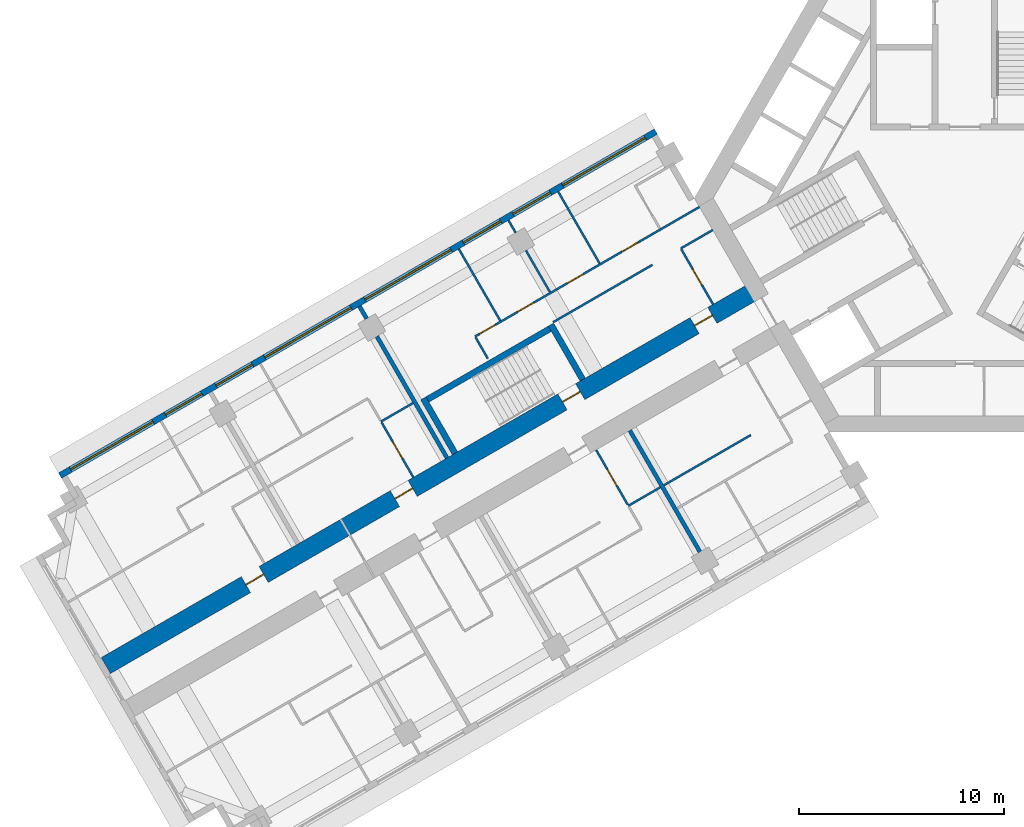
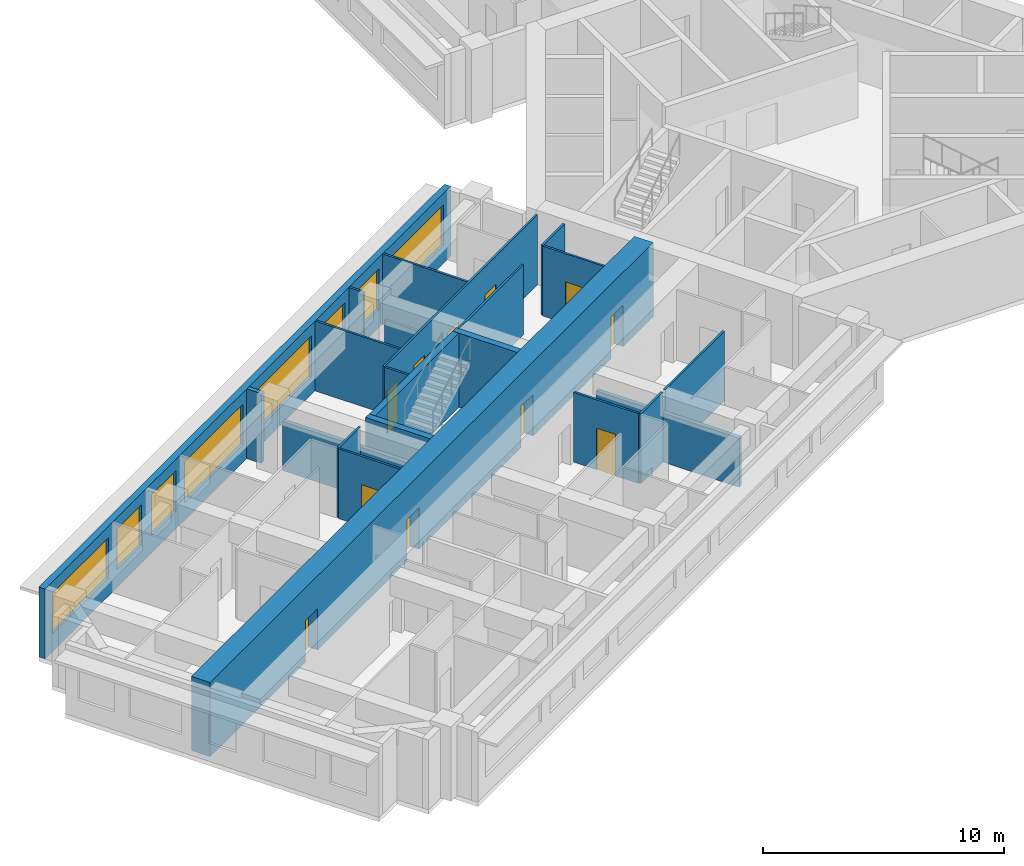
# One storey, part 5 of 14: 22 walls, 11 doors, 8 windows, 19 openings.
"""IFC4 building model written with IfcOpenShell, lengths in metres."""

from ifc_helpers import new_model, si_unit, direction, frame, frame_2d, origin, place, context, subcontext, project, spatial, rectangle, extrude, material, layer, layer_set, type_object, element, fill, save


model = new_model("IFC4")

# Units and contexts
model_context = context("Model", 3, precision=1e-05, world=origin(), true_north=direction((0.0, 1.0)))
body_context = subcontext(model_context, "Body", "Model", "MODEL_VIEW")
ifc_project = project(units=[si_unit("LENGTHUNIT", "METRE"), si_unit("AREAUNIT", "SQUARE_METRE"), si_unit("VOLUMEUNIT", "CUBIC_METRE"), si_unit("PLANEANGLEUNIT", "RADIAN"), si_unit("MASSUNIT", "GRAM", prefix="KILO")], contexts=[model_context])

# Site, building, storey
site_placement = place(None, origin())
site = spatial("IfcSite", under=ifc_project, at=site_placement, CompositionType="ELEMENT")
building_placement = place(site_placement, origin())
building = spatial("IfcBuilding", under=site, at=building_placement, Name="Impinga Residences", CompositionType="ELEMENT")
storey_placement = place(building_placement, frame((0.0, 0.0, 121.0)))
storey = spatial("IfcBuildingStorey", under=building, at=storey_placement, Name="L29", CompositionType="ELEMENT", Elevation=121.0)

# Wall, openings, doors
ifc_material_1 = material(Name="Concrete C60/75", Category="concrete")
ifc_layer_1 = layer(ifc_material_1, 0.89990234375)
ifc_layer_set_1 = layer_set([ifc_layer_1], Name="Concrete C60/75")
wall_type_1 = type_object("IfcWallType", Name="BW2 corridor buttress wall, L24 to L44 900", PredefinedType="SHEAR", material=ifc_layer_set_1)
wall_1_placement = place(storey_placement, frame((-10.153564453125, -4.4765625, 0.0), z_axis=(0.0, 0.0, 1.0), x_axis=(-0.866027614434, -0.499996171023, 0.0)))
wall_1 = element("IfcWall", 1, at=wall_1_placement, inside=storey, type_object=wall_type_1, Name="Corridor wall BW2 WD L29", PredefinedType="SHEAR", context=body_context, shape_type="SweptSolid", body=[
    extrude(rectangle(XDim=36.699951171875, YDim=0.89990234375, at=frame_2d((18.35009765625, 0.0))), origin(), (0.0, 0.0, 1.0), 3.75),
])
opening_1_placement = place(wall_1_placement, frame((9.949951171875, 0.0, 0.0)))
opening_1 = element("IfcOpeningElement", 2, at=opening_1_placement, cuts=wall_1, Name="Opening D5", PredefinedType="OPENING", context=body_context, shape_type="SweptSolid", body=[
    extrude(rectangle(XDim=1.0, YDim=2.10009765625, at=frame_2d((0.5, 1.050048828125))), frame((0.0, 0.4599609375, 0.0), z_axis=(0.0, -1.0, 0.0), x_axis=(1.0, 0.0, 0.0)), (0.0, 0.0, 1.0), 0.919921875),
])
opening_2_placement = place(wall_1_placement, frame((2.5, 0.0, 0.0)))
opening_2 = element("IfcOpeningElement", 3, at=opening_2_placement, cuts=wall_1, Name="Opening D1", PredefinedType="OPENING", context=body_context, shape_type="SweptSolid", body=[
    extrude(rectangle(XDim=1.0, YDim=2.10009765625, at=frame_2d((0.5, 1.050048828125))), frame((0.0, 0.4599609375, 0.0), z_axis=(0.0, -1.0, 0.0), x_axis=(1.0, 0.0, 0.0)), (0.0, 0.0, 1.0), 0.919921875),
])
opening_3_placement = place(wall_1_placement, frame((19.39990234375, 0.0, 0.0)))
opening_3 = element("IfcOpeningElement", 4, at=opening_3_placement, cuts=wall_1, Name="Opening D1", PredefinedType="OPENING", context=body_context, shape_type="SweptSolid", body=[
    extrude(rectangle(XDim=1.0, YDim=2.10009765625, at=frame_2d((0.5, 1.050048828125))), frame((0.0, 0.4599609375, 0.0), z_axis=(0.0, -1.0, 0.0), x_axis=(1.0, 0.0, 0.0)), (0.0, 0.0, 1.0), 0.919921875),
])
opening_4_placement = place(wall_1_placement, frame((27.800048828125, 0.0, 0.0)))
opening_4 = element("IfcOpeningElement", 5, at=opening_4_placement, cuts=wall_1, Name="Opening D1", PredefinedType="OPENING", context=body_context, shape_type="SweptSolid", body=[
    extrude(rectangle(XDim=1.0, YDim=2.10009765625, at=frame_2d((0.5, 1.050048828125))), frame((0.0, 0.4599609375, 0.0), z_axis=(0.0, -1.0, 0.0), x_axis=(1.0, 0.0, 0.0)), (0.0, 0.0, 1.0), 0.919921875),
])
ifc_material_2 = material(Name="Timber door set", Category="wood")
door_type_1 = type_object("IfcDoorType", Name="D1 apartment entrance door 1000x2100", OperationType="SINGLE_SWING_LEFT", PredefinedType="DOOR", material=ifc_material_2)
door_1_placement = place(opening_2_placement, origin())
door_1 = element("IfcDoor", 6, at=door_1_placement, inside=storey, type_object=door_type_1, Name="Apartment L29-WF1 entrance", OperationType="SINGLE_SWING_LEFT", OverallHeight=2.10009765625, OverallWidth=1.0, PredefinedType="DOOR", context=body_context, shape_type="SweptSolid", body=[
    extrude(rectangle(XDim=1.0, YDim=2.10009765625, at=frame_2d((0.5, 1.050048828125))), frame((0.0, 0.02490234375, 0.0), z_axis=(0.0, -1.0, 0.0), x_axis=(1.0, 0.0, 0.0)), (0.0, 0.0, 1.0), 0.050048828125),
])
fill(opening_2, door_1)
door_2_placement = place(opening_3_placement, origin())
door_2 = element("IfcDoor", 7, at=door_2_placement, inside=storey, type_object=door_type_1, Name="Apartment L29-WF2 entrance", OperationType="SINGLE_SWING_RIGHT", OverallHeight=2.10009765625, OverallWidth=1.0, PredefinedType="DOOR", context=body_context, shape_type="SweptSolid", body=[
    extrude(rectangle(XDim=1.0, YDim=2.10009765625, at=frame_2d((0.5, 1.050048828125))), frame((0.0, 0.02490234375, 0.0), z_axis=(0.0, -1.0, 0.0), x_axis=(1.0, 0.0, 0.0)), (0.0, 0.0, 1.0), 0.050048828125),
])
fill(opening_3, door_2)
door_3_placement = place(opening_4_placement, origin())
door_3 = element("IfcDoor", 8, at=door_3_placement, inside=storey, type_object=door_type_1, Name="Apartment L29-WF3 entrance", OperationType="SINGLE_SWING_RIGHT", OverallHeight=2.10009765625, OverallWidth=1.0, PredefinedType="DOOR", context=body_context, shape_type="SweptSolid", body=[
    extrude(rectangle(XDim=1.0, YDim=2.10009765625, at=frame_2d((0.5, 1.050048828125))), frame((0.0, 0.02490234375, 0.0), z_axis=(0.0, -1.0, 0.0), x_axis=(1.0, 0.0, 0.0)), (0.0, 0.0, 1.0), 0.050048828125),
])
fill(opening_4, door_3)
door_type_2 = type_object("IfcDoorType", Name="D5 stair door 1000x2100", OperationType="SINGLE_SWING_LEFT", PredefinedType="DOOR", material=ifc_material_2)
door_4_placement = place(opening_1_placement, origin())
door_4 = element("IfcDoor", 9, at=door_4_placement, inside=storey, type_object=door_type_2, Name="Wing stair door W", OperationType="SINGLE_SWING_LEFT", OverallHeight=2.10009765625, OverallWidth=1.0, PredefinedType="DOOR", context=body_context, shape_type="SweptSolid", body=[
    extrude(rectangle(XDim=1.0, YDim=2.10009765625, at=frame_2d((0.5, 1.050048828125))), frame((0.0, 0.02490234375, 0.0), z_axis=(0.0, -1.0, 0.0), x_axis=(1.0, 0.0, 0.0)), (0.0, 0.0, 1.0), 0.050048828125),
])
fill(opening_1, door_4)

# Wall, openings, windows
ifc_material_3 = material(Name="Terracotta rainscreen on blockwork", Category="masonry")
ifc_layer_2 = layer(ifc_material_3, 0.300048828125)
ifc_layer_set_2 = layer_set([ifc_layer_2], Name="EW1 external wall, terracotta rainscreen on blockwork 300")
wall_type_2 = type_object("IfcWallType", Name="EW1 external wall, terracotta rainscreen on blockwork 300", PredefinedType="SOLIDWALL", material=ifc_layer_set_2)
wall_2_placement = place(storey_placement, frame((-44.17333984375, -13.552490234375, 0.0), z_axis=(0.0, 0.0, 1.0), x_axis=(0.866024291668, 0.500001926238, 0.0)))
wall_2 = element("IfcWall", 10, at=wall_2_placement, inside=storey, type_object=wall_type_2, Name="External wall EW1 L29", PredefinedType="SOLIDWALL", context=body_context, shape_type="SweptSolid", body=[
    extrude(rectangle(XDim=33.599853515625, YDim=0.300048828125, at=frame_2d((16.7998046875, 0.0))), origin(), (0.0, 0.0, 1.0), 3.530029296875),
])
opening_5_placement = place(wall_2_placement, frame((0.60009765625, 0.0, 0.89990234375)))
opening_5 = element("IfcOpeningElement", 11, at=opening_5_placement, cuts=wall_2, Name="Opening W10", PredefinedType="OPENING", context=body_context, shape_type="SweptSolid", body=[
    extrude(rectangle(XDim=4.64990234375, YDim=2.050048828125, at=frame_2d((2.324951171875, 1.02490234375))), frame((0.0, 0.159912109375, 0.0), z_axis=(0.0, -1.0, 0.0), x_axis=(1.0, 0.0, 0.0)), (0.0, 0.0, 1.0), 0.320068359375),
])
opening_6_placement = place(wall_2_placement, frame((5.949951171875, 0.0, 0.89990234375)))
opening_6 = element("IfcOpeningElement", 12, at=opening_6_placement, cuts=wall_2, Name="Opening W14", PredefinedType="OPENING", context=body_context, shape_type="SweptSolid", body=[
    extrude(rectangle(XDim=2.050048828125, YDim=2.050048828125, at=frame_2d((1.02490234375, 1.02490234375))), frame((0.0, 0.159912109375, 0.0), z_axis=(0.0, -1.0, 0.0), x_axis=(1.0, 0.0, 0.0)), (0.0, 0.0, 1.0), 0.320068359375),
])
opening_7_placement = place(wall_2_placement, frame((8.800048828125, 0.0, 0.89990234375)))
opening_7 = element("IfcOpeningElement", 13, at=opening_7_placement, cuts=wall_2, Name="Opening W14", PredefinedType="OPENING", context=body_context, shape_type="SweptSolid", body=[
    extrude(rectangle(XDim=2.050048828125, YDim=2.050048828125, at=frame_2d((1.02490234375, 1.02490234375))), frame((0.0, 0.159912109375, 0.0), z_axis=(0.0, -1.0, 0.0), x_axis=(1.0, 0.0, 0.0)), (0.0, 0.0, 1.0), 0.320068359375),
])
opening_8_placement = place(wall_2_placement, frame((11.550048828125, 0.0, 0.89990234375)))
opening_8 = element("IfcOpeningElement", 14, at=opening_8_placement, cuts=wall_2, Name="Opening W6", PredefinedType="OPENING", context=body_context, shape_type="SweptSolid", body=[
    extrude(rectangle(XDim=4.85009765625, YDim=2.050048828125, at=frame_2d((2.425048828125, 1.02490234375))), frame((0.0, 0.159912109375, 0.0), z_axis=(0.0, -1.0, 0.0), x_axis=(1.0, 0.0, 0.0)), (0.0, 0.0, 1.0), 0.320068359375),
])
opening_9_placement = place(wall_2_placement, frame((17.199951171875, 0.0, 0.89990234375)))
opening_9 = element("IfcOpeningElement", 15, at=opening_9_placement, cuts=wall_2, Name="Opening W6", PredefinedType="OPENING", context=body_context, shape_type="SweptSolid", body=[
    extrude(rectangle(XDim=4.85009765625, YDim=2.050048828125, at=frame_2d((2.425048828125, 1.02490234375))), frame((0.0, 0.159912109375, 0.0), z_axis=(0.0, -1.0, 0.0), x_axis=(1.0, 0.0, 0.0)), (0.0, 0.0, 1.0), 0.320068359375),
])
opening_10_placement = place(wall_2_placement, frame((22.75, 0.0, 0.89990234375)))
opening_10 = element("IfcOpeningElement", 16, at=opening_10_placement, cuts=wall_2, Name="Opening W9", PredefinedType="OPENING", context=body_context, shape_type="SweptSolid", body=[
    extrude(rectangle(XDim=2.10009765625, YDim=2.050048828125, at=frame_2d((1.050048828125, 1.02490234375))), frame((0.0, 0.159912109375, 0.0), z_axis=(0.0, -1.0, 0.0), x_axis=(1.0, 0.0, 0.0)), (0.0, 0.0, 1.0), 0.320068359375),
])
opening_11_placement = place(wall_2_placement, frame((25.550048828125, 0.0, 0.89990234375)))
opening_11 = element("IfcOpeningElement", 17, at=opening_11_placement, cuts=wall_2, Name="Opening W9", PredefinedType="OPENING", context=body_context, shape_type="SweptSolid", body=[
    extrude(rectangle(XDim=2.10009765625, YDim=2.050048828125, at=frame_2d((1.050048828125, 1.02490234375))), frame((0.0, 0.159912109375, 0.0), z_axis=(0.0, -1.0, 0.0), x_axis=(1.0, 0.0, 0.0)), (0.0, 0.0, 1.0), 0.320068359375),
])
opening_12_placement = place(wall_2_placement, frame((28.35009765625, 0.0, 0.89990234375)))
opening_12 = element("IfcOpeningElement", 18, at=opening_12_placement, cuts=wall_2, Name="Opening W10", PredefinedType="OPENING", context=body_context, shape_type="SweptSolid", body=[
    extrude(rectangle(XDim=4.64990234375, YDim=2.050048828125, at=frame_2d((2.324951171875, 1.02490234375))), frame((0.0, 0.159912109375, 0.0), z_axis=(0.0, -1.0, 0.0), x_axis=(1.0, 0.0, 0.0)), (0.0, 0.0, 1.0), 0.320068359375),
])
ifc_material_4 = material(Name="Aluminium window, clear double glazing", Category="aluminium")
window_type_1 = type_object("IfcWindowType", Name="W10 ribbon window 4650x2050", PartitioningType="SINGLE_PANEL", PredefinedType="WINDOW", material=ifc_material_4)
window_1_placement = place(opening_5_placement, origin())
window_1 = element("IfcWindow", 19, at=window_1_placement, inside=storey, type_object=window_type_1, Name="Window L29", OverallHeight=2.050048828125, OverallWidth=4.64990234375, PartitioningType="SINGLE_PANEL", PredefinedType="WINDOW", context=body_context, shape_type="SweptSolid", body=[
    extrude(rectangle(XDim=4.64990234375, YDim=2.050048828125, at=frame_2d((2.324951171875, 1.02490234375))), frame((0.0, 0.030029296875, 0.0), z_axis=(0.0, -1.0, 0.0), x_axis=(1.0, 0.0, 0.0)), (0.0, 0.0, 1.0), 0.06005859375),
])
fill(opening_5, window_1)
window_2_placement = place(opening_12_placement, origin())
window_2 = element("IfcWindow", 20, at=window_2_placement, inside=storey, type_object=window_type_1, Name="Window L29", OverallHeight=2.050048828125, OverallWidth=4.64990234375, PartitioningType="SINGLE_PANEL", PredefinedType="WINDOW", context=body_context, shape_type="SweptSolid", body=[
    extrude(rectangle(XDim=4.64990234375, YDim=2.050048828125, at=frame_2d((2.324951171875, 1.02490234375))), frame((0.0, 0.030029296875, 0.0), z_axis=(0.0, -1.0, 0.0), x_axis=(1.0, 0.0, 0.0)), (0.0, 0.0, 1.0), 0.06005859375),
])
fill(opening_12, window_2)
window_type_2 = type_object("IfcWindowType", Name="W14 ribbon window 2050x2050", PartitioningType="SINGLE_PANEL", PredefinedType="WINDOW", material=ifc_material_4)
window_3_placement = place(opening_6_placement, origin())
window_3 = element("IfcWindow", 21, at=window_3_placement, inside=storey, type_object=window_type_2, Name="Window L29", OverallHeight=2.050048828125, OverallWidth=2.050048828125, PartitioningType="SINGLE_PANEL", PredefinedType="WINDOW", context=body_context, shape_type="SweptSolid", body=[
    extrude(rectangle(XDim=2.050048828125, YDim=2.050048828125, at=frame_2d((1.02490234375, 1.02490234375))), frame((0.0, 0.030029296875, 0.0), z_axis=(0.0, -1.0, 0.0), x_axis=(1.0, 0.0, 0.0)), (0.0, 0.0, 1.0), 0.06005859375),
])
fill(opening_6, window_3)
window_4_placement = place(opening_7_placement, origin())
window_4 = element("IfcWindow", 22, at=window_4_placement, inside=storey, type_object=window_type_2, Name="Window L29", OverallHeight=2.050048828125, OverallWidth=2.050048828125, PartitioningType="SINGLE_PANEL", PredefinedType="WINDOW", context=body_context, shape_type="SweptSolid", body=[
    extrude(rectangle(XDim=2.050048828125, YDim=2.050048828125, at=frame_2d((1.02490234375, 1.02490234375))), frame((0.0, 0.030029296875, 0.0), z_axis=(0.0, -1.0, 0.0), x_axis=(1.0, 0.0, 0.0)), (0.0, 0.0, 1.0), 0.06005859375),
])
fill(opening_7, window_4)
window_type_3 = type_object("IfcWindowType", Name="W6 ribbon window 4850x2050", PartitioningType="SINGLE_PANEL", PredefinedType="WINDOW", material=ifc_material_4)
window_5_placement = place(opening_8_placement, origin())
window_5 = element("IfcWindow", 23, at=window_5_placement, inside=storey, type_object=window_type_3, Name="Window L29", OverallHeight=2.050048828125, OverallWidth=4.85009765625, PartitioningType="SINGLE_PANEL", PredefinedType="WINDOW", context=body_context, shape_type="SweptSolid", body=[
    extrude(rectangle(XDim=4.85009765625, YDim=2.050048828125, at=frame_2d((2.425048828125, 1.02490234375))), frame((0.0, 0.030029296875, 0.0), z_axis=(0.0, -1.0, 0.0), x_axis=(1.0, 0.0, 0.0)), (0.0, 0.0, 1.0), 0.06005859375),
])
fill(opening_8, window_5)
window_6_placement = place(opening_9_placement, origin())
window_6 = element("IfcWindow", 24, at=window_6_placement, inside=storey, type_object=window_type_3, Name="Window L29", OverallHeight=2.050048828125, OverallWidth=4.85009765625, PartitioningType="SINGLE_PANEL", PredefinedType="WINDOW", context=body_context, shape_type="SweptSolid", body=[
    extrude(rectangle(XDim=4.85009765625, YDim=2.050048828125, at=frame_2d((2.425048828125, 1.02490234375))), frame((0.0, 0.030029296875, 0.0), z_axis=(0.0, -1.0, 0.0), x_axis=(1.0, 0.0, 0.0)), (0.0, 0.0, 1.0), 0.06005859375),
])
fill(opening_9, window_6)
window_type_4 = type_object("IfcWindowType", Name="W9 ribbon window 2100x2050", PartitioningType="SINGLE_PANEL", PredefinedType="WINDOW", material=ifc_material_4)
window_7_placement = place(opening_10_placement, origin())
window_7 = element("IfcWindow", 25, at=window_7_placement, inside=storey, type_object=window_type_4, Name="Window L29", OverallHeight=2.050048828125, OverallWidth=2.10009765625, PartitioningType="SINGLE_PANEL", PredefinedType="WINDOW", context=body_context, shape_type="SweptSolid", body=[
    extrude(rectangle(XDim=2.10009765625, YDim=2.050048828125, at=frame_2d((1.050048828125, 1.02490234375))), frame((0.0, 0.030029296875, 0.0), z_axis=(0.0, -1.0, 0.0), x_axis=(1.0, 0.0, 0.0)), (0.0, 0.0, 1.0), 0.06005859375),
])
fill(opening_10, window_7)
window_8_placement = place(opening_11_placement, origin())
window_8 = element("IfcWindow", 26, at=window_8_placement, inside=storey, type_object=window_type_4, Name="Window L29", OverallHeight=2.050048828125, OverallWidth=2.10009765625, PartitioningType="SINGLE_PANEL", PredefinedType="WINDOW", context=body_context, shape_type="SweptSolid", body=[
    extrude(rectangle(XDim=2.10009765625, YDim=2.050048828125, at=frame_2d((1.050048828125, 1.02490234375))), frame((0.0, 0.030029296875, 0.0), z_axis=(0.0, -1.0, 0.0), x_axis=(1.0, 0.0, 0.0)), (0.0, 0.0, 1.0), 0.06005859375),
])
fill(opening_11, window_8)

# Walls
ifc_material_5 = material(Name="Gypsum board on steel studs", Category="steel")
ifc_layer_3 = layer(ifc_material_5, 0.10009765625)
ifc_layer_set_3 = layer_set([ifc_layer_3], Name="Gypsum board on steel studs")
wall_type_3 = type_object("IfcWallType", Name="IP1 partition 100", PredefinedType="PARTITIONING", material=ifc_layer_set_3)
wall_3_placement = place(storey_placement, frame((-10.444580078125, -11.57275390625, 0.0), z_axis=(0.0, 0.0, 1.0), x_axis=(-0.866023786258, -0.500002801628, 0.0)))
element("IfcWall", 27, at=wall_3_placement, inside=storey, type_object=wall_type_3, Name="Partition L29-WA1:DIV1", PredefinedType="PARTITIONING", context=body_context, shape_type="SweptSolid", body=[
    extrude(rectangle(XDim=4.89990234375, YDim=0.10009765625, at=frame_2d((2.449951171875, 0.0))), origin(), (0.0, 0.0, 1.0), 3.530029296875),
])
wall_4_placement = place(storey_placement, frame((-14.861328125, -14.122802734375, 0.0), z_axis=(0.0, 0.0, 1.0), x_axis=(-0.866047807691, -0.499961193289, 0.0)))
element("IfcWall", 28, at=wall_4_placement, inside=storey, type_object=wall_type_3, Name="Partition L29-WA2:DIV0", PredefinedType="PARTITIONING", context=body_context, shape_type="SweptSolid", body=[
    extrude(rectangle(XDim=1.800048828125, YDim=0.10009765625, at=frame_2d((0.89990234375, 0.0))), origin(), (0.0, 0.0, 1.0), 3.530029296875),
])

# Wall, opening, door
wall_5_placement = place(storey_placement, frame((-17.9951171875, -12.294677734375, 0.0), z_axis=(0.0, 0.0, 1.0), x_axis=(0.49999285859, -0.86602952684, 0.0)))
wall_5 = element("IfcWall", 29, at=wall_5_placement, inside=storey, type_object=wall_type_3, Name="Partition L29-WA2:IB1", PredefinedType="PARTITIONING", context=body_context, shape_type="SweptSolid", body=[
    extrude(rectangle(XDim=3.10009765625, YDim=0.10009765625, at=frame_2d((1.550048828125, 0.0))), origin(), (0.0, 0.0, 1.0), 3.530029296875),
])
opening_13_placement = place(wall_5_placement, frame((1.10009765625, 0.0, 0.0)))
opening_13 = element("IfcOpeningElement", 30, at=opening_13_placement, cuts=wall_5, Name="Opening D2", PredefinedType="OPENING", context=body_context, shape_type="SweptSolid", body=[
    extrude(rectangle(XDim=0.89990234375, YDim=2.10009765625, at=frame_2d((0.449951171875, 1.050048828125))), frame((0.0, 0.06005859375, 0.0), z_axis=(0.0, -1.0, 0.0), x_axis=(1.0, 0.0, 0.0)), (0.0, 0.0, 1.0), 0.1201171875),
])
door_type_3 = type_object("IfcDoorType", Name="D2 internal door 900x2100", OperationType="SINGLE_SWING_LEFT", PredefinedType="DOOR", material=ifc_material_2)
door_5_placement = place(opening_13_placement, origin())
door_5 = element("IfcDoor", 31, at=door_5_placement, inside=storey, type_object=door_type_3, Name="Apartment L29-WA2 bathroom door", OperationType="SINGLE_SWING_LEFT", OverallHeight=2.10009765625, OverallWidth=0.89990234375, PredefinedType="DOOR", context=body_context, shape_type="SweptSolid", body=[
    extrude(rectangle(XDim=0.89990234375, YDim=2.10009765625, at=frame_2d((0.449951171875, 1.050048828125))), frame((0.0, 0.02490234375, 0.0), z_axis=(0.0, -1.0, 0.0), x_axis=(1.0, 0.0, 0.0)), (0.0, 0.0, 1.0), 0.050048828125),
])
fill(opening_13, door_5)

# Walls
wall_6_placement = place(storey_placement, frame((-12.300048828125, -1.558837890625, 0.0), z_axis=(0.0, 0.0, 1.0), x_axis=(-0.866047807691, -0.499961193289, 0.0)))
element("IfcWall", 32, at=wall_6_placement, inside=storey, type_object=wall_type_3, Name="Partition L29-WF1:DIV0", PredefinedType="PARTITIONING", context=body_context, shape_type="SweptSolid", body=[
    extrude(rectangle(XDim=1.800048828125, YDim=0.10009765625, at=frame_2d((0.89990234375, 0.0))), origin(), (0.0, 0.0, 1.0), 3.530029296875),
])
wall_7_placement = place(storey_placement, frame((-15.244384765625, -3.2587890625, 0.0), z_axis=(0.0, 0.0, 1.0), x_axis=(-0.866026594901, -0.49999793692, 0.0)))
element("IfcWall", 33, at=wall_7_placement, inside=storey, type_object=wall_type_3, Name="Partition L29-WF1:DIV1", PredefinedType="PARTITIONING", context=body_context, shape_type="SweptSolid", body=[
    extrude(rectangle(XDim=5.60009765625, YDim=0.10009765625, at=frame_2d((2.800048828125, 0.0))), origin(), (0.0, 0.0, 1.0), 3.530029296875),
])

# Wall, openings, doors
wall_8_placement = place(storey_placement, frame((-12.949951171875, -0.43310546875, 0.0), z_axis=(0.0, 0.0, 1.0), x_axis=(-0.866029069366, -0.499993650972, 0.0)))
wall_8 = element("IfcWall", 34, at=wall_8_placement, inside=storey, type_object=wall_type_3, Name="Partition L29-WF1:STRIP", PredefinedType="PARTITIONING", context=body_context, shape_type="SweptSolid", body=[
    extrude(rectangle(XDim=12.650146484375, YDim=0.10009765625, at=frame_2d((6.3251953125, 0.0))), origin(), (0.0, 0.0, 1.0), 3.530029296875),
])
opening_14_placement = place(wall_8_placement, frame((3.449951171875, 0.0, 0.0)))
opening_14 = element("IfcOpeningElement", 35, at=opening_14_placement, cuts=wall_8, Name="Opening D2", PredefinedType="OPENING", context=body_context, shape_type="SweptSolid", body=[
    extrude(rectangle(XDim=0.89990234375, YDim=2.10009765625, at=frame_2d((0.449951171875, 1.050048828125))), frame((0.0, 0.06005859375, 0.0), z_axis=(0.0, -1.0, 0.0), x_axis=(1.0, 0.0, 0.0)), (0.0, 0.0, 1.0), 0.1201171875),
])
opening_15_placement = place(wall_8_placement, frame((6.550048828125, 0.0, 0.0)))
opening_15 = element("IfcOpeningElement", 36, at=opening_15_placement, cuts=wall_8, Name="Opening D2", PredefinedType="OPENING", context=body_context, shape_type="SweptSolid", body=[
    extrude(rectangle(XDim=0.89990234375, YDim=2.10009765625, at=frame_2d((0.449951171875, 1.050048828125))), frame((0.0, 0.06005859375, 0.0), z_axis=(0.0, -1.0, 0.0), x_axis=(1.0, 0.0, 0.0)), (0.0, 0.0, 1.0), 0.1201171875),
])
opening_16_placement = place(wall_8_placement, frame((9.35009765625, 0.0, 0.0)))
opening_16 = element("IfcOpeningElement", 37, at=opening_16_placement, cuts=wall_8, Name="Opening D2", PredefinedType="OPENING", context=body_context, shape_type="SweptSolid", body=[
    extrude(rectangle(XDim=0.89990234375, YDim=2.10009765625, at=frame_2d((0.449951171875, 1.050048828125))), frame((0.0, 0.06005859375, 0.0), z_axis=(0.0, -1.0, 0.0), x_axis=(1.0, 0.0, 0.0)), (0.0, 0.0, 1.0), 0.1201171875),
])
opening_17_placement = place(wall_8_placement, frame((11.5, 0.0, 0.0)))
opening_17 = element("IfcOpeningElement", 38, at=opening_17_placement, cuts=wall_8, Name="Opening D2", PredefinedType="OPENING", context=body_context, shape_type="SweptSolid", body=[
    extrude(rectangle(XDim=0.89990234375, YDim=2.10009765625, at=frame_2d((0.449951171875, 1.050048828125))), frame((0.0, 0.06005859375, 0.0), z_axis=(0.0, -1.0, 0.0), x_axis=(1.0, 0.0, 0.0)), (0.0, 0.0, 1.0), 0.1201171875),
])
door_6_placement = place(opening_14_placement, origin())
door_6 = element("IfcDoor", 39, at=door_6_placement, inside=storey, type_object=door_type_3, Name="Apartment L29-WF1 room door", OperationType="SINGLE_SWING_LEFT", OverallHeight=2.10009765625, OverallWidth=0.89990234375, PredefinedType="DOOR", context=body_context, shape_type="SweptSolid", body=[
    extrude(rectangle(XDim=0.89990234375, YDim=2.10009765625, at=frame_2d((0.449951171875, 1.050048828125))), frame((0.0, 0.02490234375, 0.0), z_axis=(0.0, -1.0, 0.0), x_axis=(1.0, 0.0, 0.0)), (0.0, 0.0, 1.0), 0.050048828125),
])
fill(opening_14, door_6)
door_7_placement = place(opening_15_placement, origin())
door_7 = element("IfcDoor", 40, at=door_7_placement, inside=storey, type_object=door_type_3, Name="Apartment L29-WF1 room door", OperationType="SINGLE_SWING_RIGHT", OverallHeight=2.10009765625, OverallWidth=0.89990234375, PredefinedType="DOOR", context=body_context, shape_type="SweptSolid", body=[
    extrude(rectangle(XDim=0.89990234375, YDim=2.10009765625, at=frame_2d((0.449951171875, 1.050048828125))), frame((0.0, 0.02490234375, 0.0), z_axis=(0.0, -1.0, 0.0), x_axis=(1.0, 0.0, 0.0)), (0.0, 0.0, 1.0), 0.050048828125),
])
fill(opening_15, door_7)
door_8_placement = place(opening_16_placement, origin())
door_8 = element("IfcDoor", 41, at=door_8_placement, inside=storey, type_object=door_type_3, Name="Apartment L29-WF1 room door", OperationType="SINGLE_SWING_RIGHT", OverallHeight=2.10009765625, OverallWidth=0.89990234375, PredefinedType="DOOR", context=body_context, shape_type="SweptSolid", body=[
    extrude(rectangle(XDim=0.89990234375, YDim=2.10009765625, at=frame_2d((0.449951171875, 1.050048828125))), frame((0.0, 0.02490234375, 0.0), z_axis=(0.0, -1.0, 0.0), x_axis=(1.0, 0.0, 0.0)), (0.0, 0.0, 1.0), 0.050048828125),
])
fill(opening_16, door_8)
door_9_placement = place(opening_17_placement, origin())
door_9 = element("IfcDoor", 42, at=door_9_placement, inside=storey, type_object=door_type_3, Name="Apartment L29-WF1 room door", OperationType="SINGLE_SWING_RIGHT", OverallHeight=2.10009765625, OverallWidth=0.89990234375, PredefinedType="DOOR", context=body_context, shape_type="SweptSolid", body=[
    extrude(rectangle(XDim=0.89990234375, YDim=2.10009765625, at=frame_2d((0.449951171875, 1.050048828125))), frame((0.0, 0.02490234375, 0.0), z_axis=(0.0, -1.0, 0.0), x_axis=(1.0, 0.0, 0.0)), (0.0, 0.0, 1.0), 0.050048828125),
])
fill(opening_17, door_9)

# Wall
wall_9_placement = place(storey_placement, frame((-23.2802734375, -7.840576171875, 0.0), z_axis=(0.0, 0.0, 1.0), x_axis=(-0.499880961361, 0.866094119867, 0.0)))
element("IfcWall", 43, at=wall_9_placement, inside=storey, type_object=wall_type_3, Name="Partition L29-WF1:SE1", PredefinedType="PARTITIONING", context=body_context, shape_type="SweptSolid", body=[
    extrude(rectangle(XDim=1.199951171875, YDim=0.10009765625, at=frame_2d((0.60009765625, 0.0))), origin(), (0.0, 0.0, 1.0), 3.530029296875),
])

# Wall, opening, door
wall_10_placement = place(storey_placement, frame((-12.283935546875, -5.186767578125, 0.0), z_axis=(0.0, 0.0, 1.0), x_axis=(-0.499967891604, 0.866043940782, 0.0)))
wall_10 = element("IfcWall", 44, at=wall_10_placement, inside=storey, type_object=wall_type_3, Name="Partition L29-WF1:IB1", PredefinedType="PARTITIONING", context=body_context, shape_type="SweptSolid", body=[
    extrude(rectangle(XDim=3.099853515625, YDim=0.10009765625, at=frame_2d((1.5498046875, 0.0))), origin(), (0.0, 0.0, 1.0), 3.530029296875),
])
opening_18_placement = place(wall_10_placement, frame((1.10009765625, 0.0, 0.0)))
opening_18 = element("IfcOpeningElement", 45, at=opening_18_placement, cuts=wall_10, Name="Opening D2", PredefinedType="OPENING", context=body_context, shape_type="SweptSolid", body=[
    extrude(rectangle(XDim=0.89990234375, YDim=2.10009765625, at=frame_2d((0.449951171875, 1.050048828125))), frame((0.0, 0.06005859375, 0.0), z_axis=(0.0, -1.0, 0.0), x_axis=(1.0, 0.0, 0.0)), (0.0, 0.0, 1.0), 0.1201171875),
])
door_10_placement = place(opening_18_placement, origin())
door_10 = element("IfcDoor", 46, at=door_10_placement, inside=storey, type_object=door_type_3, Name="Apartment L29-WF1 bathroom door", OperationType="SINGLE_SWING_LEFT", OverallHeight=2.10009765625, OverallWidth=0.89990234375, PredefinedType="DOOR", context=body_context, shape_type="SweptSolid", body=[
    extrude(rectangle(XDim=0.89990234375, YDim=2.10009765625, at=frame_2d((0.449951171875, 1.050048828125))), frame((0.0, 0.02490234375, 0.0), z_axis=(0.0, -1.0, 0.0), x_axis=(1.0, 0.0, 0.0)), (0.0, 0.0, 1.0), 0.050048828125),
])
fill(opening_18, door_10)

# Walls
wall_11_placement = place(storey_placement, frame((-17.82470703125, -3.189697265625, 0.0), z_axis=(0.0, 0.0, 1.0), x_axis=(-0.500035537042, 0.866004885491, 0.0)))
element("IfcWall", 47, at=wall_11_placement, inside=storey, type_object=wall_type_3, Name="Partition L29-WF1:OB1", PredefinedType="PARTITIONING", context=body_context, shape_type="SweptSolid", body=[
    extrude(rectangle(XDim=4.050048828125, YDim=0.10009765625, at=frame_2d((2.02490234375, 0.0))), origin(), (0.0, 0.0, 1.0), 3.530029296875),
])
wall_12_placement = place(storey_placement, frame((-20.24951171875, -4.589599609375, 0.0), z_axis=(0.0, 0.0, 1.0), x_axis=(-0.500016218704, 0.866016039709, 0.0)))
element("IfcWall", 48, at=wall_12_placement, inside=storey, type_object=wall_type_3, Name="Partition L29-WF1:OB2", PredefinedType="PARTITIONING", context=body_context, shape_type="SweptSolid", body=[
    extrude(rectangle(XDim=2.35009765625, YDim=0.10009765625, at=frame_2d((1.175048828125, 0.0))), origin(), (0.0, 0.0, 1.0), 2.47998046875),
])
wall_13_placement = place(storey_placement, frame((-21.924560546875, -1.6884765625, 0.0), z_axis=(0.0, 0.0, 1.0), x_axis=(-0.500114896893, 0.865959057869, 0.0)))
element("IfcWall", 49, at=wall_13_placement, inside=storey, type_object=wall_type_3, Name="Partition L29-WF1:OB2b", PredefinedType="PARTITIONING", context=body_context, shape_type="SweptSolid", body=[
    extrude(rectangle(XDim=0.699951171875, YDim=0.10009765625, at=frame_2d((0.35009765625, 0.0))), origin(), (0.0, 0.0, 1.0), 3.530029296875),
])
wall_14_placement = place(storey_placement, frame((-22.674560546875, -5.98974609375, 0.0), z_axis=(0.0, 0.0, 1.0), x_axis=(-0.499990325971, 0.866030989016, 0.0)))
element("IfcWall", 50, at=wall_14_placement, inside=storey, type_object=wall_type_3, Name="Partition L29-WF1:OB3", PredefinedType="PARTITIONING", context=body_context, shape_type="SweptSolid", body=[
    extrude(rectangle(XDim=4.0498046875, YDim=0.10009765625, at=frame_2d((2.02490234375, 0.0))), origin(), (0.0, 0.0, 1.0), 3.530029296875),
])
wall_15_placement = place(storey_placement, frame((-26.935791015625, -10.0087890625, 0.0), z_axis=(0.0, 0.0, 1.0), x_axis=(-0.865989075817, -0.500062916607, 0.0)))
element("IfcWall", 51, at=wall_15_placement, inside=storey, type_object=wall_type_3, Name="Partition L29-WF2:DIV0", PredefinedType="PARTITIONING", context=body_context, shape_type="SweptSolid", body=[
    extrude(rectangle(XDim=1.800048828125, YDim=0.10009765625, at=frame_2d((0.89990234375, 0.0))), origin(), (0.0, 0.0, 1.0), 3.530029296875),
])

# Wall, opening, door
wall_16_placement = place(storey_placement, frame((-26.919677734375, -13.63671875, 0.0), z_axis=(0.0, 0.0, 1.0), x_axis=(-0.500026960575, 0.86600983753, 0.0)))
wall_16 = element("IfcWall", 52, at=wall_16_placement, inside=storey, type_object=wall_type_3, Name="Partition L29-WF2:IB1", PredefinedType="PARTITIONING", context=body_context, shape_type="SweptSolid", body=[
    extrude(rectangle(XDim=3.099853515625, YDim=0.10009765625, at=frame_2d((1.5498046875, 0.0))), origin(), (0.0, 0.0, 1.0), 3.530029296875),
])
opening_19_placement = place(wall_16_placement, frame((1.10009765625, 0.0, 0.0)))
opening_19 = element("IfcOpeningElement", 53, at=opening_19_placement, cuts=wall_16, Name="Opening D2", PredefinedType="OPENING", context=body_context, shape_type="SweptSolid", body=[
    extrude(rectangle(XDim=0.89990234375, YDim=2.10009765625, at=frame_2d((0.449951171875, 1.050048828125))), frame((0.0, 0.06005859375, 0.0), z_axis=(0.0, -1.0, 0.0), x_axis=(1.0, 0.0, 0.0)), (0.0, 0.0, 1.0), 0.1201171875),
])
door_11_placement = place(opening_19_placement, origin())
door_11 = element("IfcDoor", 54, at=door_11_placement, inside=storey, type_object=door_type_3, Name="Apartment L29-WF2 bathroom door", OperationType="SINGLE_SWING_LEFT", OverallHeight=2.10009765625, OverallWidth=0.89990234375, PredefinedType="DOOR", context=body_context, shape_type="SweptSolid", body=[
    extrude(rectangle(XDim=0.89990234375, YDim=2.10009765625, at=frame_2d((0.449951171875, 1.050048828125))), frame((0.0, 0.02490234375, 0.0), z_axis=(0.0, -1.0, 0.0), x_axis=(1.0, 0.0, 0.0)), (0.0, 0.0, 1.0), 0.050048828125),
])
fill(opening_19, door_11)

# Walls
ifc_material_6 = material(Name="Concrete blockwork", Category="masonry")
ifc_layer_4 = layer(ifc_material_6, 0.199951171875)
ifc_layer_set_4 = layer_set([ifc_layer_4], Name="PW1 party wall between apartments 200")
wall_type_4 = type_object("IfcWallType", Name="PW1 party wall between apartments 200", PredefinedType="SOLIDWALL", material=ifc_layer_set_4)
wall_17_placement = place(storey_placement, frame((-16.349609375, -11.3447265625, 0.0), z_axis=(0.0, 0.0, 1.0), x_axis=(0.499999086063, -0.866025931445, 0.0)))
element("IfcWall", 55, at=wall_17_placement, inside=storey, type_object=wall_type_4, Name="Party wall between apartments L29-WA1:PARTY", PredefinedType="SOLIDWALL", context=body_context, shape_type="SweptSolid", body=[
    extrude(rectangle(XDim=6.85009765625, YDim=0.199951171875, at=frame_2d((3.425048828125, 0.0))), origin(), (0.0, 0.0, 1.0), 2.47998046875),
])
wall_18_placement = place(storey_placement, frame((-25.274169921875, -12.686767578125, 0.0), z_axis=(0.0, 0.0, 1.0), x_axis=(-0.500014519185, 0.866017020967, 0.0)))
element("IfcWall", 56, at=wall_18_placement, inside=storey, type_object=wall_type_4, Name="Party wall between apartments L29-WF1:PARTY", PredefinedType="SOLIDWALL", context=body_context, shape_type="SweptSolid", body=[
    extrude(rectangle(XDim=6.849853515625, YDim=0.199951171875, at=frame_2d((3.4248046875, 0.0))), origin(), (0.0, 0.0, 1.0), 2.47998046875),
])
wall_19_placement = place(storey_placement, frame((-29.19921875, -5.888427734375, 0.0), z_axis=(0.0, 0.0, 1.0), x_axis=(-0.500114896893, 0.865959057869, 0.0)))
element("IfcWall", 57, at=wall_19_placement, inside=storey, type_object=wall_type_4, Name="Party wall between apartments L29-WF1:PARTYb", PredefinedType="SOLIDWALL", context=body_context, shape_type="SweptSolid", body=[
    extrude(rectangle(XDim=0.699951171875, YDim=0.199951171875, at=frame_2d((0.35009765625, 0.0))), origin(), (0.0, 0.0, 1.0), 3.530029296875),
])
ifc_layer_5 = layer(ifc_material_1, 0.300048828125)
ifc_layer_set_5 = layer_set([ifc_layer_5], Name="Concrete C60/75")
wall_type_5 = type_object("IfcWallType", Name="SE1 wing stair enclosure wall 300", PredefinedType="SOLIDWALL", material=ifc_layer_set_5)
wall_20_placement = place(storey_placement, frame((-18.649169921875, -8.86181640625, 0.0), z_axis=(0.0, 0.0, 1.0), x_axis=(-0.500026960575, 0.86600983753, 0.0)))
element("IfcWall", 58, at=wall_20_placement, inside=storey, type_object=wall_type_5, Name="Stair enclosure wall SE1 W END0 L29", PredefinedType="SOLIDWALL", context=body_context, shape_type="SweptSolid", body=[
    extrude(rectangle(XDim=3.099853515625, YDim=0.300048828125, at=frame_2d((1.5498046875, 0.0))), origin(), (0.0, 0.0, 1.0), 3.75),
])
wall_21_placement = place(storey_placement, frame((-24.884521484375, -12.4619140625, 0.0), z_axis=(0.0, 0.0, 1.0), x_axis=(-0.49999285859, 0.86602952684, 0.0)))
element("IfcWall", 59, at=wall_21_placement, inside=storey, type_object=wall_type_5, Name="Stair enclosure wall SE1 W END1 L29", PredefinedType="SOLIDWALL", context=body_context, shape_type="SweptSolid", body=[
    extrude(rectangle(XDim=3.10009765625, YDim=0.300048828125, at=frame_2d((1.550048828125, 0.0))), origin(), (0.0, 0.0, 1.0), 3.75),
])
wall_22_placement = place(storey_placement, frame((-20.254150390625, -6.382080078125, 0.0), z_axis=(0.0, 0.0, 1.0), x_axis=(-0.866020008033, -0.500009345598, 0.0)))
element("IfcWall", 60, at=wall_22_placement, inside=storey, type_object=wall_type_5, Name="Stair enclosure wall SE1 W OUT L29", PredefinedType="SOLIDWALL", context=body_context, shape_type="SweptSolid", body=[
    extrude(rectangle(XDim=6.899658203125, YDim=0.300048828125, at=frame_2d((3.44970703125, 0.0))), origin(), (0.0, 0.0, 1.0), 3.75),
])

save(model, "model.ifc")
